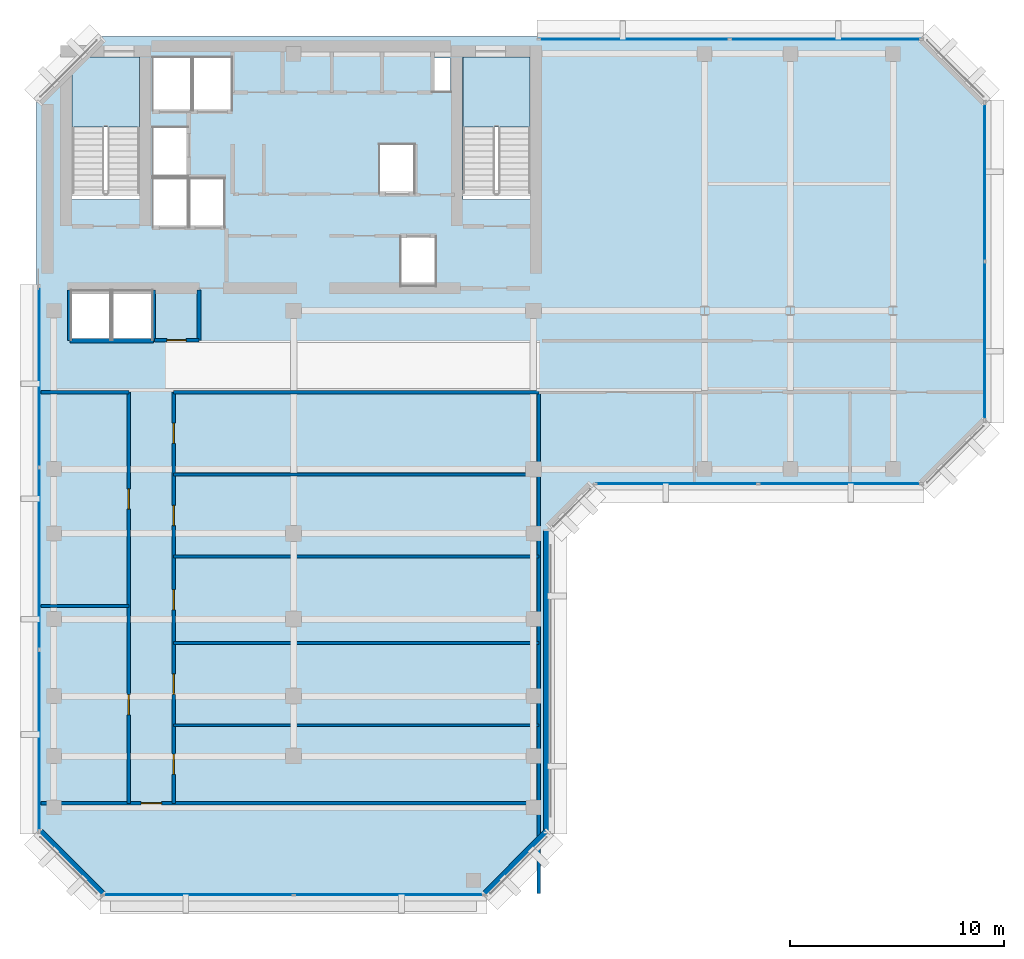
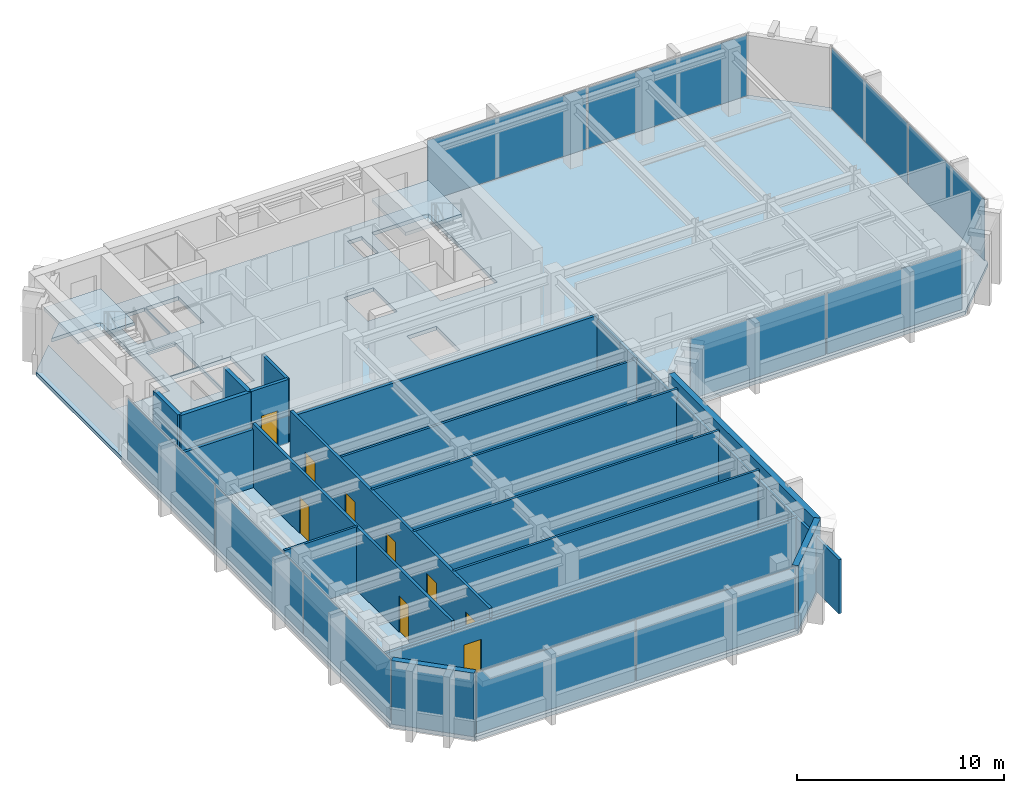
# One storey, part 6 of 11: 19 walls, 11 plates, 9 doors, 3 slabs, 9 openings, 7 elements without a shape of their own.
"""IFC4 building model written with IfcOpenShell, lengths in metres."""

from ifc_helpers import new_model, si_unit, direction, frame, frame_2d, origin, origin_2d, place, context, subcontext, project, spatial, polyline, rectangle, outline, extrude, material, layer, layer_set, type_object, element, fill, aggregate, save


model = new_model("IFC4")

# Units and contexts
model_context = context("Model", 3, precision=1e-05, world=origin(), true_north=direction((0.0, 1.0)))
body_context = subcontext(model_context, "Body", "Model", "MODEL_VIEW")
ifc_project = project(units=[si_unit("LENGTHUNIT", "METRE"), si_unit("AREAUNIT", "SQUARE_METRE"), si_unit("VOLUMEUNIT", "CUBIC_METRE"), si_unit("PLANEANGLEUNIT", "RADIAN"), si_unit("MASSUNIT", "GRAM", prefix="KILO")], contexts=[model_context])

# Site, building, storey
site_placement = place(None, origin())
site = spatial("IfcSite", under=ifc_project, at=site_placement, CompositionType="ELEMENT")
building_placement = place(site_placement, origin())
building = spatial("IfcBuilding", under=site, at=building_placement, Name="Kefirva Bronze Tower", CompositionType="ELEMENT")
storey_placement = place(building_placement, frame((0.0, 0.0, 335.610107421875)))
storey = spatial("IfcBuildingStorey", under=building, at=storey_placement, Name="L82", CompositionType="ELEMENT", Elevation=335.610107421875)

# Stair, slab
ifc_material_1 = material(Name="Concrete C40/50", Category="concrete")
stair_type = type_object("IfcStairType", Name="RC Dogleg Protected Stair 24R", PredefinedType="HALF_TURN_STAIR", material=ifc_material_1)
stair_1_placement = place(storey_placement, origin())
stair_1 = element("IfcStair", 1, at=stair_1_placement, inside=storey, type_object=stair_type, Name="L82 Protected Exit Stair 1", PredefinedType="HALF_TURN_STAIR")
ifc_layer_1 = layer(ifc_material_1, 0.199951171875, Name="Concrete C40/50")
ifc_layer_set_1 = layer_set([ifc_layer_1], Name="Concrete C40/50")
slab_type_1 = type_object("IfcSlabType", Name="RC Stair Landing Slab 200mm", PredefinedType="LANDING", material=ifc_layer_set_1)
slab_1_placement = place(storey_placement, frame((0.0, 0.0, 1.77978515625)))
slab_1 = element("IfcSlab", 2, at=slab_1_placement, type_object=slab_type_1, Name="ST-1 landing 1", PredefinedType="LANDING", context=body_context, shape_type="SweptSolid", body=[
    extrude(outline(polyline([(4.800048828125, 41.780029296875), (4.800048828125, 45.050048828125), (1.64990234375, 45.050048828125), (1.64990234375, 41.780029296875), (4.800048828125, 41.780029296875)])), origin(), (0.0, 0.0, 1.0), 0.2001953125),
])
aggregate(stair_1, [slab_1])

stair_2_placement = place(storey_placement, origin())
stair_2 = element("IfcStair", 3, at=stair_2_placement, inside=storey, type_object=stair_type, Name="L82 Protected Exit Stair 2", PredefinedType="HALF_TURN_STAIR")
slab_2_placement = place(storey_placement, frame((0.0, 0.0, 1.77978515625)))
slab_2 = element("IfcSlab", 4, at=slab_2_placement, type_object=slab_type_1, Name="ST-2 landing 1", PredefinedType="LANDING", context=body_context, shape_type="SweptSolid", body=[
    extrude(outline(polyline([(23.050048828125, 41.780029296875), (23.050048828125, 45.050048828125), (19.89990234375, 45.050048828125), (19.89990234375, 41.780029296875), (23.050048828125, 41.780029296875)])), origin(), (0.0, 0.0, 1.0), 0.2001953125),
])
aggregate(stair_2, [slab_2])

# Slab
ifc_layer_2 = layer(ifc_material_1, 0.219970703125, Name="Concrete C40/50")
ifc_layer_set_2 = layer_set([ifc_layer_2], Name="Concrete C40/50")
slab_type_2 = type_object("IfcSlabType", Name="RC Upper Floor Slab 220mm", PredefinedType="FLOOR", material=ifc_layer_set_2)
slab_3_placement = place(storey_placement, frame((0.0, 0.0, -0.22021484375)))
element("IfcSlab", 5, at=slab_3_placement, inside=storey, type_object=slab_type_2, Name="L82 Structural Floor Slab", PredefinedType="FLOOR", context=body_context, shape_type="SweptSolid", body=[
    extrude(outline(polyline([(0.0, 8.800048828125), (0.0, 43.0), (1.64990234375, 44.64990234375), (1.64990234375, 38.39990234375), (4.800048828125, 38.39990234375), (4.800048828125, 45.050048828125), (2.050048828125, 45.050048828125), (3.0, 46.0), (41.39990234375, 46.0), (44.39990234375, 43.0), (44.39990234375, 28.0), (41.39990234375, 25.0), (26.0, 25.0), (24.0, 23.0), (24.0, 8.800048828125), (21.0, 5.800048828125), (3.0, 5.800048828125), (0.0, 8.800048828125)]), holes=[polyline([(23.050048828125, 45.050048828125), (19.89990234375, 45.050048828125), (19.89990234375, 38.39990234375), (23.050048828125, 38.39990234375), (23.050048828125, 45.050048828125)]), polyline([(19.320068359375, 43.419921875), (19.320068359375, 45.0), (18.52001953125, 45.0), (18.52001953125, 43.419921875), (19.320068359375, 43.419921875)]), polyline([(18.64990234375, 36.64990234375), (17.0, 36.64990234375), (17.0, 34.35009765625), (18.64990234375, 34.35009765625), (18.64990234375, 36.64990234375)]), polyline([(17.64990234375, 38.679931640625), (17.64990234375, 40.97998046875), (16.0, 40.97998046875), (16.0, 38.679931640625), (17.64990234375, 38.679931640625)]), polyline([(9.1201171875, 42.550048828125), (9.1201171875, 45.050048828125), (7.300048828125, 45.050048828125), (7.300048828125, 42.550048828125), (9.1201171875, 42.550048828125)]), polyline([(8.780029296875, 37.10009765625), (8.780029296875, 39.39990234375), (7.139892578125, 39.39990234375), (7.139892578125, 37.10009765625), (8.780029296875, 37.10009765625)]), polyline([(7.239990234375, 42.550048828125), (7.239990234375, 45.050048828125), (5.419921875, 45.050048828125), (5.419921875, 42.550048828125), (7.239990234375, 42.550048828125)]), polyline([(7.06005859375, 37.10009765625), (7.06005859375, 39.39990234375), (5.419921875, 39.39990234375), (5.419921875, 37.10009765625), (7.06005859375, 37.10009765625)]), polyline([(7.06005859375, 41.780029296875), (5.419921875, 41.780029296875), (5.419921875, 39.47998046875), (7.06005859375, 39.47998046875), (7.06005859375, 41.780029296875)]), polyline([(5.39990234375, 31.85009765625), (5.39990234375, 34.14990234375), (3.550048828125, 34.14990234375), (3.550048828125, 31.85009765625), (5.39990234375, 31.85009765625)]), polyline([(3.449951171875, 34.14990234375), (1.60009765625, 34.14990234375), (1.60009765625, 31.85009765625), (3.449951171875, 31.85009765625), (3.449951171875, 34.14990234375)])]), origin(), (0.0, 0.0, 1.0), 0.22021484375),
])

# Curtain wall, plates
ifc_material_2 = material(Name="Bronze anodised aluminium", Category="aluminium")
ifc_layer_3 = layer(ifc_material_2, 0.179931640625, Name="Bronze anodised aluminium")
ifc_layer_set_3 = layer_set([ifc_layer_3], Name="Bronze anodised aluminium")
curtain_wall_type = type_object("IfcCurtainWallType", Name="Unitised Bronze Ribbon Curtain Wall Zone 4", PredefinedType="USERDEFINED", material=ifc_layer_set_3)
curtain_wall_1_placement = place(storey_placement, origin())
curtain_wall_1 = element("IfcCurtainWall", 6, at=curtain_wall_1_placement, inside=storey, type_object=curtain_wall_type, Name="L82 Curtain Wall 1", ObjectType="UNITISED CURTAIN WALL", PredefinedType="USERDEFINED")
ifc_material_3 = material(Name="Laminated low-E double glazing", Category="glass")
ifc_layer_4 = layer(ifc_material_3, 0.031982421875, Name="Laminated low-E double glazing")
ifc_layer_set_4 = layer_set([ifc_layer_4], Name="Laminated low-E double glazing")
plate_type = type_object("IfcPlateType", Name="Solar-Control Low-E Vision Panel 32mm", PredefinedType="CURTAIN_PANEL", material=ifc_layer_set_4)
plate_1_placement = place(storey_placement, frame((7.546142578125, 5.919921875, 0.07470703125), z_axis=(0.0, 0.0, 1.0), x_axis=(1.0, 0.0, 0.0)))
plate_1 = element("IfcPlate", 7, at=plate_1_placement, type_object=plate_type, Name="CW-04 panel 1.1", PredefinedType="CURTAIN_PANEL", context=body_context, shape_type="SweptSolid", body=[
    extrude(rectangle(XDim=8.83251953125, YDim=0.031982421875, at=origin_2d()), origin(), (0.0, 0.0, 1.0), 3.590087890625),
])
plate_2_placement = place(storey_placement, frame((16.453857421875, 5.919921875, 0.07470703125), z_axis=(0.0, 0.0, 1.0), x_axis=(1.0, 0.0, 0.0)))
plate_2 = element("IfcPlate", 8, at=plate_2_placement, type_object=plate_type, Name="CW-04 panel 2.1", PredefinedType="CURTAIN_PANEL", context=body_context, shape_type="SweptSolid", body=[
    extrude(rectangle(XDim=8.83251953125, YDim=0.031982421875, at=origin_2d()), origin(), (0.0, 0.0, 1.0), 3.590087890625),
])
aggregate(curtain_wall_1, [plate_1, plate_2])

curtain_wall_2_placement = place(storey_placement, origin())
curtain_wall_2 = element("IfcCurtainWall", 9, at=curtain_wall_2_placement, inside=storey, type_object=curtain_wall_type, Name="L82 Curtain Wall 2", ObjectType="UNITISED CURTAIN WALL", PredefinedType="USERDEFINED")
plate_3_placement = place(storey_placement, frame((29.896240234375, 25.1201171875, 0.07470703125), z_axis=(0.0, 0.0, 1.0), x_axis=(1.0, 0.0, 0.0)))
plate_3 = element("IfcPlate", 10, at=plate_3_placement, type_object=plate_type, Name="CW-04 panel 1.1", PredefinedType="CURTAIN_PANEL", context=body_context, shape_type="SweptSolid", body=[
    extrude(rectangle(XDim=7.532470703125, YDim=0.031982421875, at=origin_2d()), origin(), (0.0, 0.0, 1.0), 3.590087890625),
])
plate_4_placement = place(storey_placement, frame((37.503662109375, 25.1201171875, 0.07470703125), z_axis=(0.0, 0.0, 1.0), x_axis=(1.0, 0.0, 0.0)))
plate_4 = element("IfcPlate", 11, at=plate_4_placement, type_object=plate_type, Name="CW-04 panel 2.1", PredefinedType="CURTAIN_PANEL", context=body_context, shape_type="SweptSolid", body=[
    extrude(rectangle(XDim=7.532470703125, YDim=0.031982421875, at=origin_2d()), origin(), (0.0, 0.0, 1.0), 3.590087890625),
])
aggregate(curtain_wall_2, [plate_3, plate_4])

curtain_wall_3_placement = place(storey_placement, origin())
curtain_wall_3 = element("IfcCurtainWall", 12, at=curtain_wall_3_placement, inside=storey, type_object=curtain_wall_type, Name="L82 Curtain Wall 3", ObjectType="UNITISED CURTAIN WALL", PredefinedType="USERDEFINED")
plate_5_placement = place(storey_placement, frame((44.280029296875, 31.796142578125, 0.07470703125), z_axis=(0.0, 0.0, 1.0), x_axis=(0.0, 1.0, 0.0)))
plate_5 = element("IfcPlate", 13, at=plate_5_placement, type_object=plate_type, Name="CW-04 panel 1.1", PredefinedType="CURTAIN_PANEL", context=body_context, shape_type="SweptSolid", body=[
    extrude(rectangle(XDim=7.33251953125, YDim=0.031982421875, at=origin_2d()), origin(), (0.0, 0.0, 1.0), 3.590087890625),
])
plate_6_placement = place(storey_placement, frame((44.280029296875, 39.203857421875, 0.07470703125), z_axis=(0.0, 0.0, 1.0), x_axis=(0.0, 1.0, 0.0)))
plate_6 = element("IfcPlate", 14, at=plate_6_placement, type_object=plate_type, Name="CW-04 panel 2.1", PredefinedType="CURTAIN_PANEL", context=body_context, shape_type="SweptSolid", body=[
    extrude(rectangle(XDim=7.33251953125, YDim=0.031982421875, at=origin_2d()), origin(), (0.0, 0.0, 1.0), 3.590087890625),
])
aggregate(curtain_wall_3, [plate_5, plate_6])

curtain_wall_4_placement = place(storey_placement, origin())
curtain_wall_4 = element("IfcCurtainWall", 15, at=curtain_wall_4_placement, inside=storey, type_object=curtain_wall_type, Name="L82 Curtain Wall 4", ObjectType="UNITISED CURTAIN WALL", PredefinedType="USERDEFINED")
plate_7_placement = place(storey_placement, frame((36.84130859375, 45.8798828125, 0.07470703125), z_axis=(0.0, 0.0, 1.0), x_axis=(-1.0, 0.0, 0.0)))
plate_7 = element("IfcPlate", 16, at=plate_7_placement, type_object=plate_type, Name="CW-04 panel 1.1", PredefinedType="CURTAIN_PANEL", context=body_context, shape_type="SweptSolid", body=[
    extrude(rectangle(XDim=8.857421875, YDim=0.031982421875, at=origin_2d()), origin(), (0.0, 0.0, 1.0), 3.590087890625),
])
plate_8_placement = place(storey_placement, frame((27.90869140625, 45.8798828125, 0.07470703125), z_axis=(0.0, 0.0, 1.0), x_axis=(-1.0, 0.0, 0.0)))
plate_8 = element("IfcPlate", 17, at=plate_8_placement, type_object=plate_type, Name="CW-04 panel 2.1", PredefinedType="CURTAIN_PANEL", context=body_context, shape_type="SweptSolid", body=[
    extrude(rectangle(XDim=8.857421875, YDim=0.031982421875, at=origin_2d()), origin(), (0.0, 0.0, 1.0), 3.590087890625),
])
aggregate(curtain_wall_4, [plate_7, plate_8])

curtain_wall_5_placement = place(storey_placement, origin())
curtain_wall_5 = element("IfcCurtainWall", 18, at=curtain_wall_5_placement, inside=storey, type_object=curtain_wall_type, Name="L82 Curtain Wall 5", ObjectType="UNITISED CURTAIN WALL", PredefinedType="USERDEFINED")
plate_9_placement = place(storey_placement, frame((0.1201171875, 30.11962890625, 0.07470703125), z_axis=(0.0, 0.0, 1.0), x_axis=(0.0, -1.0, 0.0)))
plate_9 = element("IfcPlate", 19, at=plate_9_placement, type_object=plate_type, Name="CW-04 panel 1.1", PredefinedType="CURTAIN_PANEL", context=body_context, shape_type="SweptSolid", body=[
    extrude(rectangle(XDim=8.40087890625, YDim=0.031982421875, at=origin_2d()), origin(), (0.0, 0.0, 1.0), 3.590087890625),
])
plate_10_placement = place(storey_placement, frame((0.1201171875, 21.625, 0.07470703125), z_axis=(0.0, 0.0, 1.0), x_axis=(0.0, -1.0, 0.0)))
plate_10 = element("IfcPlate", 20, at=plate_10_placement, type_object=plate_type, Name="CW-04 panel 2.1", PredefinedType="CURTAIN_PANEL", context=body_context, shape_type="SweptSolid", body=[
    extrude(rectangle(XDim=8.438232421875, YDim=0.031982421875, at=origin_2d()), origin(), (0.0, 0.0, 1.0), 3.590087890625),
])
plate_11_placement = place(storey_placement, frame((0.1201171875, 13.13037109375, 0.07470703125), z_axis=(0.0, 0.0, 1.0), x_axis=(0.0, -1.0, 0.0)))
plate_11 = element("IfcPlate", 21, at=plate_11_placement, type_object=plate_type, Name="CW-04 panel 3.1", PredefinedType="CURTAIN_PANEL", context=body_context, shape_type="SweptSolid", body=[
    extrude(rectangle(XDim=8.40087890625, YDim=0.031982421875, at=origin_2d()), origin(), (0.0, 0.0, 1.0), 3.590087890625),
])
aggregate(curtain_wall_5, [plate_9, plate_10, plate_11])

# Walls
ifc_material_4 = material(Name="Gypsum acoustic partition")
ifc_layer_5 = layer(ifc_material_4, 0.1298828125, Name="Gypsum acoustic partition")
ifc_layer_set_5 = layer_set([ifc_layer_5], Name="Gypsum acoustic partition")
wall_type_1 = type_object("IfcWallType", Name="Acoustic Office Partition 130mm", PredefinedType="PARTITIONING", material=ifc_layer_set_5)
wall_1_placement = place(storey_placement, frame((0.18994140625, 19.410888671875, 0.0), z_axis=(0.0, 0.0, 1.0), x_axis=(1.0, 0.0, 0.0)))
element("IfcWall", 22, at=wall_1_placement, inside=storey, type_object=wall_type_1, Name="L82 Partition W-L82-SWD1", PredefinedType="PARTITIONING", context=body_context, shape_type="SweptSolid", body=[
    extrude(rectangle(XDim=4.110107421875, YDim=0.1298828125, at=frame_2d((2.05517578125, 0.0))), origin(), (0.0, 0.0, 1.0), 3.739990234375),
])
for number, where, z_axis, x_axis, name in (
    (23, (6.39990234375, 13.83984375, 0.0), (0.0, 0.0, 1.0), (1.0, 0.0, 0.0), "L82 Partition W-L82-SED1"),
    (24, (6.39990234375, 17.681884765625, 0.0), (0.0, 0.0, 1.0), (1.0, 0.0, 0.0), "L82 Partition W-L82-SED2"),
    (25, (6.39990234375, 21.716064453125, 0.0), (0.0, 0.0, 1.0), (1.0, 0.0, 0.0), "L82 Partition W-L82-SED3"),
):
    element("IfcWall", number, at=place(storey_placement, frame(where, z_axis=z_axis, x_axis=x_axis)), inside=storey, type_object=wall_type_1, Name=name, PredefinedType="PARTITIONING", context=body_context, shape_type="SweptSolid", body=[
        extrude(rectangle(XDim=17.050048828125, YDim=0.1298828125, at=frame_2d((8.52490234375, 0.0))), origin(), (0.0, 0.0, 1.0), 3.739990234375),
    ])
wall_2_placement = place(storey_placement, frame((6.39990234375, 25.55810546875, 0.0), z_axis=(0.0, 0.0, 1.0), x_axis=(1.0, 0.0, 0.0)))
element("IfcWall", 26, at=wall_2_placement, inside=storey, type_object=wall_type_1, Name="L82 Partition W-L82-SED4", PredefinedType="PARTITIONING", context=body_context, shape_type="SweptSolid", body=[
    extrude(rectangle(XDim=17.050048828125, YDim=0.1298828125, at=frame_2d((8.52490234375, 0.0))), origin(), (0.0, 0.0, 1.0), 3.1748046875),
])
ifc_material_5 = material(Name="Gypsum fireboard shaftwall")
ifc_layer_6 = layer(ifc_material_5, 0.219970703125, Name="Gypsum fireboard shaftwall")
ifc_layer_set_6 = layer_set([ifc_layer_6], Name="Gypsum fireboard shaftwall")
wall_type_2 = type_object("IfcWallType", Name="Fire-Rated Shaft Enclosure Wall 220mm", PredefinedType="PARTITIONING", material=ifc_layer_set_6)
wall_3_placement = place(storey_placement, frame((1.550048828125, 31.800048828125, 0.0), z_axis=(0.0, 0.0, 1.0), x_axis=(1.0, 0.0, 0.0)))
element("IfcWall", 27, at=wall_3_placement, inside=storey, type_object=wall_type_2, Name="L82 Partition W-L82-OBS", PredefinedType="PARTITIONING", context=body_context, shape_type="SweptSolid", body=[
    extrude(rectangle(XDim=3.89990234375, YDim=0.219970703125, at=frame_2d((1.949951171875, 0.0))), origin(), (0.0, 0.0, 1.0), 3.739990234375),
])
for number, where, z_axis, x_axis, name in (
    (28, (1.550048828125, 31.800048828125, 0.0), (0.0, 0.0, 1.0), (0.0, 1.0, 0.0), "L82 Partition W-L82-OBW"),
    (29, (5.449951171875, 31.800048828125, 0.0), (0.0, 0.0, 1.0), (0.0, 1.0, 0.0), "L82 Partition W-L82-OBE"),
):
    element("IfcWall", number, at=place(storey_placement, frame(where, z_axis=z_axis, x_axis=x_axis)), inside=storey, type_object=wall_type_2, Name=name, PredefinedType="PARTITIONING", context=body_context, shape_type="SweptSolid", body=[
        extrude(rectangle(XDim=2.3798828125, YDim=0.219970703125, at=frame_2d((1.18994140625, 0.0))), origin(), (0.0, 0.0, 1.0), 3.739990234375),
    ])
ifc_material_6 = material(Name="Precast concrete C40/50", Category="concrete")
ifc_layer_7 = layer(ifc_material_6, 0.320068359375, Name="Precast concrete C40/50")
ifc_layer_set_7 = layer_set([ifc_layer_7], Name="Precast concrete C40/50")
wall_type_3 = type_object("IfcWallType", Name="Precast Insulated Exterior Wall 320mm", PredefinedType="SOLIDWALL", material=ifc_layer_set_7)
wall_4_placement = place(storey_placement, frame((20.92578125, 5.951904296875, 0.0), z_axis=(0.0, 0.0, 1.0), x_axis=(0.707077242712, 0.707136318428, 0.0)))
element("IfcWall", 30, at=wall_4_placement, inside=storey, type_object=wall_type_3, Name="L82 Exterior Facade Wall 1", PredefinedType="SOLIDWALL", context=body_context, shape_type="SweptSolid", body=[
    extrude(rectangle(XDim=4.132568359375, YDim=0.320068359375, at=frame_2d((2.06640625, 0.0))), origin(), (0.0, 0.0, 1.0), 3.739990234375),
])
wall_5_placement = place(storey_placement, frame((23.840087890625, 8.85498046875, 0.0), z_axis=(0.0, 0.0, 1.0), x_axis=(0.0, 1.0, 0.0)))
element("IfcWall", 31, at=wall_5_placement, inside=storey, type_object=wall_type_3, Name="L82 Exterior Facade Wall 2", PredefinedType="SOLIDWALL", context=body_context, shape_type="SweptSolid", body=[
    extrude(rectangle(XDim=14.090087890625, YDim=0.320068359375, at=frame_2d((7.044921875, 0.0))), origin(), (0.0, 0.0, 1.0), 3.739990234375),
])
wall_6_placement = place(storey_placement, frame((0.152099609375, 8.874267578125, 0.0), z_axis=(0.0, 0.0, 1.0), x_axis=(0.707077242712, -0.707136318428, 0.0)))
element("IfcWall", 32, at=wall_6_placement, inside=storey, type_object=wall_type_3, Name="L82 Exterior Facade Wall 7", PredefinedType="SOLIDWALL", context=body_context, shape_type="SweptSolid", body=[
    extrude(rectangle(XDim=4.132568359375, YDim=0.320068359375, at=frame_2d((2.06640625, 0.0))), origin(), (0.0, 0.0, 1.0), 3.739990234375),
])

# Wall, openings, doors
ifc_layer_8 = layer(ifc_material_4, 0.159912109375, Name="Gypsum acoustic partition")
ifc_layer_set_8 = layer_set([ifc_layer_8], Name="Gypsum acoustic partition")
wall_type_4 = type_object("IfcWallType", Name="Protected Corridor Partition 160mm", PredefinedType="PARTITIONING", material=ifc_layer_set_8)
wall_7_placement = place(storey_placement, frame((4.300048828125, 10.18994140625, 0.0), z_axis=(0.0, 0.0, 1.0), x_axis=(0.0, 1.0, 0.0)))
wall_7 = element("IfcWall", 33, at=wall_7_placement, inside=storey, type_object=wall_type_4, Name="L82 Partition W-L82-SWCORW", PredefinedType="PARTITIONING", context=body_context, shape_type="SweptSolid", body=[
    extrude(rectangle(XDim=19.2099609375, YDim=0.159912109375, at=frame_2d((9.60498046875, 0.0))), origin(), (0.0, 0.0, 1.0), 3.739990234375),
])
opening_1_placement = place(wall_7_placement, frame((5.08544921875, 0.0, 0.0), z_axis=(0.0, 0.0, 1.0), x_axis=(-1.0, 0.0, 0.0)))
opening_1 = element("IfcOpeningElement", 34, at=opening_1_placement, cuts=wall_7, Name="Opening L82-D-SW1", PredefinedType="OPENING", context=body_context, shape_type="SweptSolid", body=[
    extrude(rectangle(XDim=0.949951171875, YDim=2.14990234375, at=frame_2d((0.47509765625, 1.074951171875))), frame((0.0, 0.08984375, 0.0), z_axis=(0.0, -1.0, 0.0), x_axis=(1.0, 0.0, 0.0)), (0.0, 0.0, 1.0), 0.179931640625),
])
opening_2_placement = place(wall_7_placement, frame((14.6904296875, 0.0, 0.0), z_axis=(0.0, 0.0, 1.0), x_axis=(-1.0, 0.0, 0.0)))
opening_2 = element("IfcOpeningElement", 35, at=opening_2_placement, cuts=wall_7, Name="Opening L82-D-SW2", PredefinedType="OPENING", context=body_context, shape_type="SweptSolid", body=[
    extrude(rectangle(XDim=0.949951171875, YDim=2.14990234375, at=frame_2d((0.47509765625, 1.074951171875))), frame((0.0, 0.08984375, 0.0), z_axis=(0.0, -1.0, 0.0), x_axis=(1.0, 0.0, 0.0)), (0.0, 0.0, 1.0), 0.179931640625),
])
ifc_material_7 = material(Name="Acoustic hardwood oak", Category="wood")
door_type_1 = type_object("IfcDoorType", Name="Office & Meeting Room Door 950x2150", OperationType="NOTDEFINED", PredefinedType="DOOR", material=ifc_material_7)
door_1_placement = place(opening_1_placement, origin())
door_1 = element("IfcDoor", 36, at=door_1_placement, inside=storey, type_object=door_type_1, Name="Door L82-D-SW1", OperationType="SINGLE_SWING_RIGHT", OverallHeight=2.14990234375, OverallWidth=0.949951171875, PredefinedType="DOOR", context=body_context, shape_type="SweptSolid", body=[
    extrude(rectangle(XDim=0.949951171875, YDim=2.14990234375, at=frame_2d((0.47509765625, 1.074951171875))), frame((0.0, 0.02490234375, 0.0), z_axis=(0.0, -1.0, 0.0), x_axis=(1.0, 0.0, 0.0)), (0.0, 0.0, 1.0), 0.050048828125),
])
fill(opening_1, door_1)
door_2_placement = place(opening_2_placement, origin())
door_2 = element("IfcDoor", 37, at=door_2_placement, inside=storey, type_object=door_type_1, Name="Door L82-D-SW2", OperationType="SINGLE_SWING_LEFT", OverallHeight=2.14990234375, OverallWidth=0.949951171875, PredefinedType="DOOR", context=body_context, shape_type="SweptSolid", body=[
    extrude(rectangle(XDim=0.949951171875, YDim=2.14990234375, at=frame_2d((0.47509765625, 1.074951171875))), frame((0.0, 0.02490234375, 0.0), z_axis=(0.0, -1.0, 0.0), x_axis=(1.0, 0.0, 0.0)), (0.0, 0.0, 1.0), 0.050048828125),
])
fill(opening_2, door_2)

wall_8_placement = place(storey_placement, frame((6.39990234375, 10.18994140625, 0.0), z_axis=(0.0, 0.0, 1.0), x_axis=(0.0, 1.0, 0.0)))
wall_8 = element("IfcWall", 38, at=wall_8_placement, inside=storey, type_object=wall_type_4, Name="L82 Partition W-L82-SECORE", PredefinedType="PARTITIONING", context=body_context, shape_type="SweptSolid", body=[
    extrude(rectangle(XDim=19.2099609375, YDim=0.159912109375, at=frame_2d((9.60498046875, 0.0))), origin(), (0.0, 0.0, 1.0), 3.739990234375),
])
opening_3_placement = place(wall_8_placement, frame((1.35009765625, 0.0, 0.0)))
opening_3 = element("IfcOpeningElement", 39, at=opening_3_placement, cuts=wall_8, Name="Opening L82-D-SE1", PredefinedType="OPENING", context=body_context, shape_type="SweptSolid", body=[
    extrude(rectangle(XDim=0.949951171875, YDim=2.14990234375, at=frame_2d((0.47509765625, 1.074951171875))), frame((0.0, 0.08984375, 0.0), z_axis=(0.0, -1.0, 0.0), x_axis=(1.0, 0.0, 0.0)), (0.0, 0.0, 1.0), 0.179931640625),
])
opening_4_placement = place(wall_8_placement, frame((5.095947265625, 0.0, 0.0)))
opening_4 = element("IfcOpeningElement", 40, at=opening_4_placement, cuts=wall_8, Name="Opening L82-D-SE2", PredefinedType="OPENING", context=body_context, shape_type="SweptSolid", body=[
    extrude(rectangle(XDim=0.949951171875, YDim=2.14990234375, at=frame_2d((0.47509765625, 1.074951171875))), frame((0.0, 0.08984375, 0.0), z_axis=(0.0, -1.0, 0.0), x_axis=(1.0, 0.0, 0.0)), (0.0, 0.0, 1.0), 0.179931640625),
])
opening_5_placement = place(wall_8_placement, frame((9.033935546875, 0.0, 0.0)))
opening_5 = element("IfcOpeningElement", 41, at=opening_5_placement, cuts=wall_8, Name="Opening L82-D-SE3", PredefinedType="OPENING", context=body_context, shape_type="SweptSolid", body=[
    extrude(rectangle(XDim=0.949951171875, YDim=2.14990234375, at=frame_2d((0.47509765625, 1.074951171875))), frame((0.0, 0.08984375, 0.0), z_axis=(0.0, -1.0, 0.0), x_axis=(1.0, 0.0, 0.0)), (0.0, 0.0, 1.0), 0.179931640625),
])
opening_6_placement = place(wall_8_placement, frame((12.971923828125, 0.0, 0.0)))
opening_6 = element("IfcOpeningElement", 42, at=opening_6_placement, cuts=wall_8, Name="Opening L82-D-SE4", PredefinedType="OPENING", context=body_context, shape_type="SweptSolid", body=[
    extrude(rectangle(XDim=0.949951171875, YDim=2.14990234375, at=frame_2d((0.47509765625, 1.074951171875))), frame((0.0, 0.08984375, 0.0), z_axis=(0.0, -1.0, 0.0), x_axis=(1.0, 0.0, 0.0)), (0.0, 0.0, 1.0), 0.179931640625),
])
opening_7_placement = place(wall_8_placement, frame((16.81396484375, 0.0, 0.0)))
opening_7 = element("IfcOpeningElement", 43, at=opening_7_placement, cuts=wall_8, Name="Opening L82-D-SE5", PredefinedType="OPENING", context=body_context, shape_type="SweptSolid", body=[
    extrude(rectangle(XDim=0.949951171875, YDim=2.14990234375, at=frame_2d((0.47509765625, 1.074951171875))), frame((0.0, 0.08984375, 0.0), z_axis=(0.0, -1.0, 0.0), x_axis=(1.0, 0.0, 0.0)), (0.0, 0.0, 1.0), 0.179931640625),
])
door_3_placement = place(opening_3_placement, origin())
door_3 = element("IfcDoor", 44, at=door_3_placement, inside=storey, type_object=door_type_1, Name="Door L82-D-SE1", OperationType="SINGLE_SWING_RIGHT", OverallHeight=2.14990234375, OverallWidth=0.949951171875, PredefinedType="DOOR", context=body_context, shape_type="SweptSolid", body=[
    extrude(rectangle(XDim=0.949951171875, YDim=2.14990234375, at=frame_2d((0.47509765625, 1.074951171875))), frame((0.0, 0.02490234375, 0.0), z_axis=(0.0, -1.0, 0.0), x_axis=(1.0, 0.0, 0.0)), (0.0, 0.0, 1.0), 0.050048828125),
])
fill(opening_3, door_3)
door_4_placement = place(opening_4_placement, origin())
door_4 = element("IfcDoor", 45, at=door_4_placement, inside=storey, type_object=door_type_1, Name="Door L82-D-SE2", OperationType="SINGLE_SWING_LEFT", OverallHeight=2.14990234375, OverallWidth=0.949951171875, PredefinedType="DOOR", context=body_context, shape_type="SweptSolid", body=[
    extrude(rectangle(XDim=0.949951171875, YDim=2.14990234375, at=frame_2d((0.47509765625, 1.074951171875))), frame((0.0, 0.02490234375, 0.0), z_axis=(0.0, -1.0, 0.0), x_axis=(1.0, 0.0, 0.0)), (0.0, 0.0, 1.0), 0.050048828125),
])
fill(opening_4, door_4)
door_5_placement = place(opening_5_placement, origin())
door_5 = element("IfcDoor", 46, at=door_5_placement, inside=storey, type_object=door_type_1, Name="Door L82-D-SE3", OperationType="SINGLE_SWING_RIGHT", OverallHeight=2.14990234375, OverallWidth=0.949951171875, PredefinedType="DOOR", context=body_context, shape_type="SweptSolid", body=[
    extrude(rectangle(XDim=0.949951171875, YDim=2.14990234375, at=frame_2d((0.47509765625, 1.074951171875))), frame((0.0, 0.02490234375, 0.0), z_axis=(0.0, -1.0, 0.0), x_axis=(1.0, 0.0, 0.0)), (0.0, 0.0, 1.0), 0.050048828125),
])
fill(opening_5, door_5)
door_6_placement = place(opening_6_placement, origin())
door_6 = element("IfcDoor", 47, at=door_6_placement, inside=storey, type_object=door_type_1, Name="Door L82-D-SE4", OperationType="SINGLE_SWING_LEFT", OverallHeight=2.14990234375, OverallWidth=0.949951171875, PredefinedType="DOOR", context=body_context, shape_type="SweptSolid", body=[
    extrude(rectangle(XDim=0.949951171875, YDim=2.14990234375, at=frame_2d((0.47509765625, 1.074951171875))), frame((0.0, 0.02490234375, 0.0), z_axis=(0.0, -1.0, 0.0), x_axis=(1.0, 0.0, 0.0)), (0.0, 0.0, 1.0), 0.050048828125),
])
fill(opening_6, door_6)
door_7_placement = place(opening_7_placement, origin())
door_7 = element("IfcDoor", 48, at=door_7_placement, inside=storey, type_object=door_type_1, Name="Door L82-D-SE5", OperationType="SINGLE_SWING_RIGHT", OverallHeight=2.14990234375, OverallWidth=0.949951171875, PredefinedType="DOOR", context=body_context, shape_type="SweptSolid", body=[
    extrude(rectangle(XDim=0.949951171875, YDim=2.14990234375, at=frame_2d((0.47509765625, 1.074951171875))), frame((0.0, 0.02490234375, 0.0), z_axis=(0.0, -1.0, 0.0), x_axis=(1.0, 0.0, 0.0)), (0.0, 0.0, 1.0), 0.050048828125),
])
fill(opening_7, door_7)

# Wall, opening, door
wall_9_placement = place(storey_placement, frame((0.18994140625, 10.18994140625, 0.0), z_axis=(0.0, 0.0, 1.0), x_axis=(1.0, 0.0, 0.0)))
wall_9 = element("IfcWall", 49, at=wall_9_placement, inside=storey, type_object=wall_type_4, Name="L82 Partition W-L82-SBEND", PredefinedType="PARTITIONING", context=body_context, shape_type="SweptSolid", body=[
    extrude(rectangle(XDim=23.260009765625, YDim=0.159912109375, at=frame_2d((11.6298828125, 0.0))), origin(), (0.0, 0.0, 1.0), 3.1748046875),
])
opening_8_placement = place(wall_9_placement, frame((4.68994140625, 0.0, 0.0)))
opening_8 = element("IfcOpeningElement", 50, at=opening_8_placement, cuts=wall_9, Name="Opening L82-D-SEND1", PredefinedType="OPENING", context=body_context, shape_type="SweptSolid", body=[
    extrude(rectangle(XDim=0.949951171875, YDim=2.14990234375, at=frame_2d((0.47509765625, 1.074951171875))), frame((0.0, 0.08984375, 0.0), z_axis=(0.0, -1.0, 0.0), x_axis=(1.0, 0.0, 0.0)), (0.0, 0.0, 1.0), 0.179931640625),
])
door_8_placement = place(opening_8_placement, origin())
door_8 = element("IfcDoor", 51, at=door_8_placement, inside=storey, type_object=door_type_1, Name="Door L82-D-SEND1", OperationType="SINGLE_SWING_LEFT", OverallHeight=2.14990234375, OverallWidth=0.949951171875, PredefinedType="DOOR", context=body_context, shape_type="SweptSolid", body=[
    extrude(rectangle(XDim=0.949951171875, YDim=2.14990234375, at=frame_2d((0.47509765625, 1.074951171875))), frame((0.0, 0.02490234375, 0.0), z_axis=(0.0, -1.0, 0.0), x_axis=(1.0, 0.0, 0.0)), (0.0, 0.0, 1.0), 0.050048828125),
])
fill(opening_8, door_8)

# Walls
wall_10_placement = place(storey_placement, frame((0.18994140625, 29.39990234375, 0.0), z_axis=(0.0, 0.0, 1.0), x_axis=(1.0, 0.0, 0.0)))
element("IfcWall", 52, at=wall_10_placement, inside=storey, type_object=wall_type_4, Name="L82 Partition W-L82-NWT", PredefinedType="PARTITIONING", context=body_context, shape_type="SweptSolid", body=[
    extrude(rectangle(XDim=4.110107421875, YDim=0.159912109375, at=frame_2d((2.05517578125, 0.0))), origin(), (0.0, 0.0, 1.0), 3.4248046875),
])
wall_11_placement = place(storey_placement, frame((6.39990234375, 29.39990234375, 0.0), z_axis=(0.0, 0.0, 1.0), x_axis=(1.0, 0.0, 0.0)))
element("IfcWall", 53, at=wall_11_placement, inside=storey, type_object=wall_type_4, Name="L82 Partition W-L82-NET", PredefinedType="PARTITIONING", context=body_context, shape_type="SweptSolid", body=[
    extrude(rectangle(XDim=17.050048828125, YDim=0.159912109375, at=frame_2d((8.52490234375, 0.0))), origin(), (0.0, 0.0, 1.0), 3.4248046875),
])
wall_12_placement = place(storey_placement, frame((23.449951171875, 5.989990234375, 0.0), z_axis=(0.0, 0.0, 1.0), x_axis=(0.0, 1.0, 0.0)))
element("IfcWall", 54, at=wall_12_placement, inside=storey, type_object=wall_type_4, Name="L82 Partition W-L82-SWEAST", PredefinedType="PARTITIONING", context=body_context, shape_type="SweptSolid", body=[
    extrude(rectangle(XDim=23.409912109375, YDim=0.159912109375, at=frame_2d((11.705078125, 0.0))), origin(), (0.0, 0.0, 1.0), 3.1748046875),
])

# Wall, opening, door
ifc_material_8 = material(Name="Moisture-resistant partition")
ifc_layer_9 = layer(ifc_material_8, 0.179931640625, Name="Moisture-resistant partition")
ifc_layer_set_9 = layer_set([ifc_layer_9], Name="Moisture-resistant partition")
wall_type_5 = type_object("IfcWallType", Name="Sanitary Plumbing Chase Wall 180mm", PredefinedType="PLUMBINGWALL", material=ifc_layer_set_9)
wall_13_placement = place(storey_placement, frame((5.5, 31.820068359375, 0.0), z_axis=(0.0, 0.0, 1.0), x_axis=(1.0, 0.0, 0.0)))
wall_13 = element("IfcWall", 55, at=wall_13_placement, inside=storey, type_object=wall_type_5, Name="L82 Partition W-L82-TCS", PredefinedType="PLUMBINGWALL", context=body_context, shape_type="SweptSolid", body=[
    extrude(rectangle(XDim=2.080078125, YDim=0.179931640625, at=frame_2d((1.0400390625, 0.0))), origin(), (0.0, 0.0, 1.0), 3.739990234375),
])
opening_9_placement = place(wall_13_placement, frame((1.47998046875, 0.0, 0.0), z_axis=(0.0, 0.0, 1.0), x_axis=(-1.0, 0.0, 0.0)))
opening_9 = element("IfcOpeningElement", 56, at=opening_9_placement, cuts=wall_13, Name="Opening L82-D-TCL1", PredefinedType="OPENING", context=body_context, shape_type="SweptSolid", body=[
    extrude(rectangle(XDim=0.89990234375, YDim=2.10009765625, at=frame_2d((0.449951171875, 1.050048828125))), frame((0.0, 0.10009765625, 0.0), z_axis=(0.0, -1.0, 0.0), x_axis=(1.0, 0.0, 0.0)), (0.0, 0.0, 1.0), 0.199951171875),
])
ifc_material_9 = material(Name="Painted galvanized steel", Category="steel")
door_type_2 = type_object("IfcDoorType", Name="Telecom & Meter Fire Door 900x2100 FD60S", OperationType="NOTDEFINED", PredefinedType="DOOR", material=ifc_material_9)
door_9_placement = place(opening_9_placement, origin())
door_9 = element("IfcDoor", 57, at=door_9_placement, inside=storey, type_object=door_type_2, Name="Door L82-D-TCL1", OperationType="SINGLE_SWING_LEFT", OverallHeight=2.10009765625, OverallWidth=0.89990234375, PredefinedType="DOOR", context=body_context, shape_type="SweptSolid", body=[
    extrude(rectangle(XDim=0.89990234375, YDim=2.10009765625, at=frame_2d((0.449951171875, 1.050048828125))), frame((0.0, 0.02490234375, 0.0), z_axis=(0.0, -1.0, 0.0), x_axis=(1.0, 0.0, 0.0)), (0.0, 0.0, 1.0), 0.050048828125),
])
fill(opening_9, door_9)

# Wall
wall_14_placement = place(storey_placement, frame((7.580078125, 31.820068359375, 0.0), z_axis=(0.0, 0.0, 1.0), x_axis=(0.0, 1.0, 0.0)))
element("IfcWall", 58, at=wall_14_placement, inside=storey, type_object=wall_type_5, Name="L82 Partition W-L82-TCE", PredefinedType="PLUMBINGWALL", context=body_context, shape_type="SweptSolid", body=[
    extrude(rectangle(XDim=2.35986328125, YDim=0.179931640625, at=frame_2d((1.179931640625, 0.0))), origin(), (0.0, 0.0, 1.0), 3.739990234375),
])

save(model, "model.ifc")
